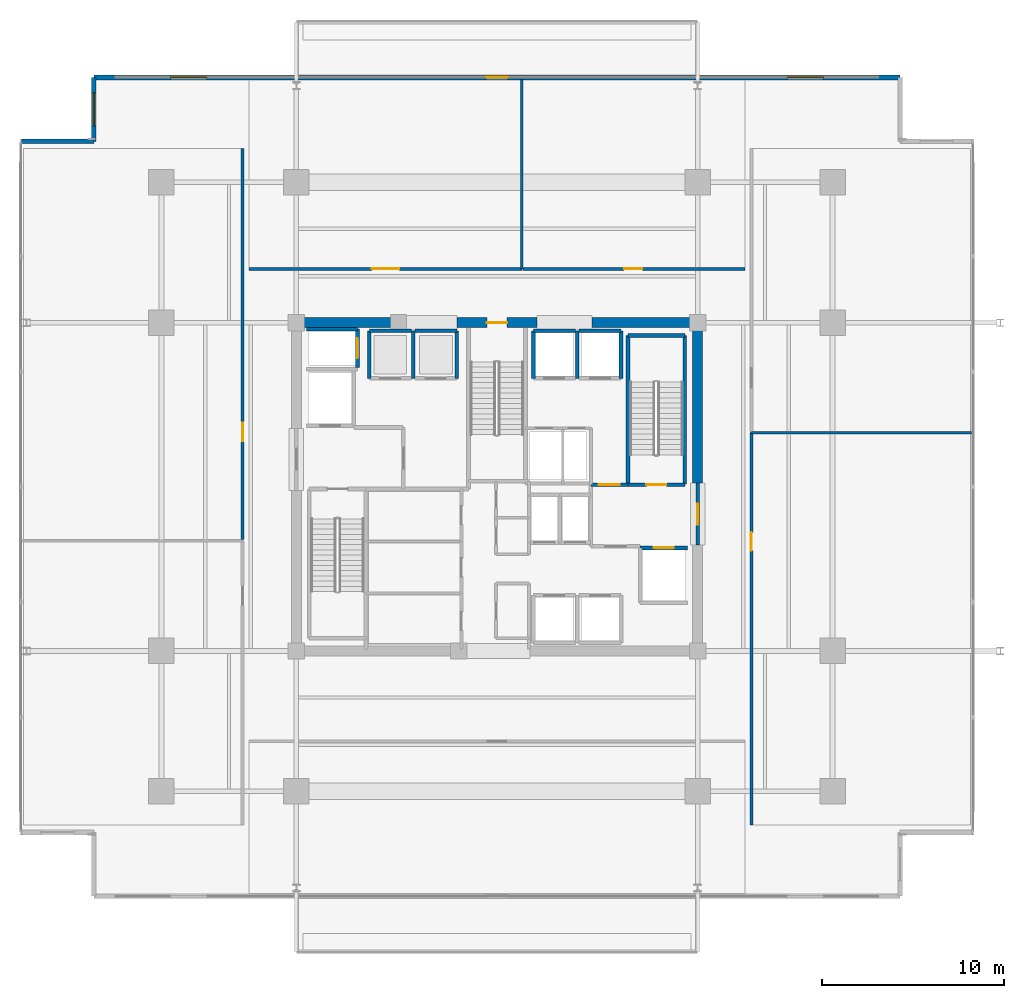
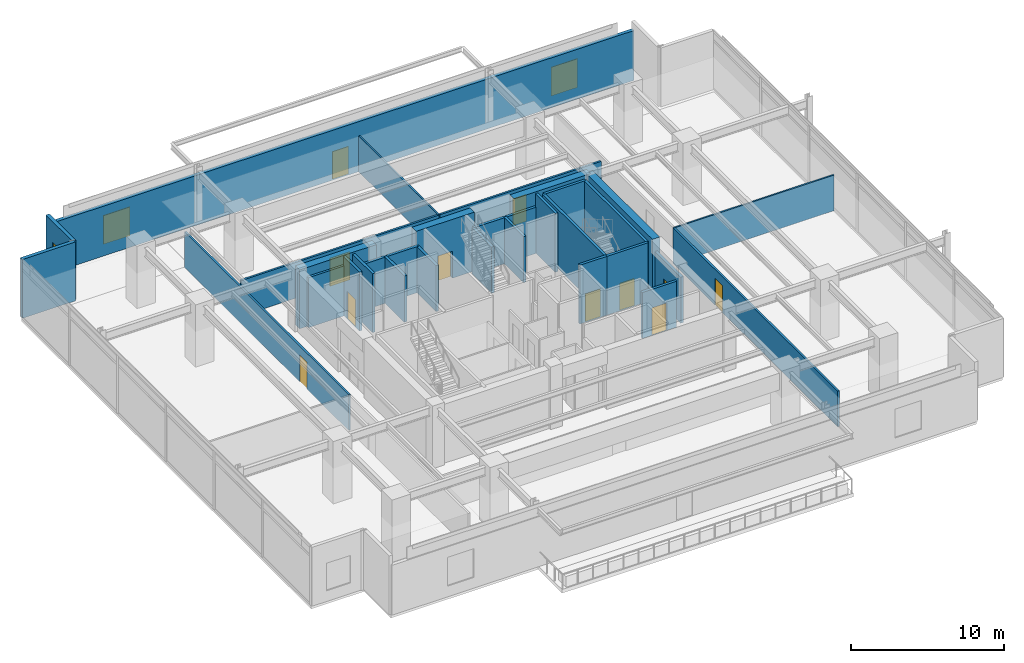
# One storey, part 18 of 25: 32 walls, 11 doors, 3 windows, 14 openings.
"""IFC4 building model written with IfcOpenShell, lengths in metres."""

from ifc_helpers import new_model, si_unit, direction, frame, frame_2d, origin, place, context, subcontext, project, spatial, rectangle, extrude, material, layer, layer_set, type_object, element, fill, save


model = new_model("IFC4")

# Units and contexts
model_context = context("Model", 3, precision=1e-05, world=origin(), true_north=direction((0.0, 1.0)))
body_context = subcontext(model_context, "Body", "Model", "MODEL_VIEW")
ifc_project = project(units=[si_unit("LENGTHUNIT", "METRE"), si_unit("AREAUNIT", "SQUARE_METRE"), si_unit("VOLUMEUNIT", "CUBIC_METRE"), si_unit("PLANEANGLEUNIT", "RADIAN"), si_unit("MASSUNIT", "GRAM", prefix="KILO")], contexts=[model_context])

# Site, building, storey
site_placement = place(None, origin())
site = spatial("IfcSite", under=ifc_project, at=site_placement, CompositionType="ELEMENT")
building_placement = place(site_placement, origin())
building = spatial("IfcBuilding", under=site, at=building_placement, Name="Kovane Verandah Tower", CompositionType="ELEMENT")
storey_placement = place(building_placement, frame((0.0, 0.0, 233.199951171875)))
storey = spatial("IfcBuildingStorey", under=building, at=storey_placement, Name="L54", CompositionType="ELEMENT", Elevation=233.199951171875)

# Wall, opening, door
ifc_material_1 = material(Name="Fire-Rated Gypsum Stud Partition", Category="gypsum")
ifc_layer_1 = layer(ifc_material_1, 0.14990234375)
ifc_layer_set_1 = layer_set([ifc_layer_1], Name="Fire-Rated Gypsum Stud Partition")
wall_type_1 = type_object("IfcWallType", Name="WL-COR-150", PredefinedType="PARTITIONING", material=ifc_layer_set_1)
wall_1_placement = place(storey_placement, frame((26.39990234375, 39.449951171875, 0.0), z_axis=(0.0, 0.0, 1.0), x_axis=(1.0, 0.0, 0.0)))
wall_1 = element("IfcWall", 1, at=wall_1_placement, inside=storey, type_object=wall_type_1, Name="L54 Sky Lobby Transfer Lounge N1 Corridor Partition", PredefinedType="PARTITIONING", context=body_context, shape_type="SweptSolid", body=[
    extrude(rectangle(XDim=14.960205078125, YDim=0.14990234375, at=frame_2d((7.47998046875, 0.0))), origin(), (0.0, 0.0, 1.0), 2.85009765625),
])
opening_1_placement = place(wall_1_placement, frame((6.7451171875, 0.0, 0.0)))
opening_1 = element("IfcOpeningElement", 2, at=opening_1_placement, cuts=wall_1, Name="Opening DR-L54-018", PredefinedType="OPENING", context=body_context, shape_type="SweptSolid", body=[
    extrude(rectangle(XDim=1.5, YDim=2.25, at=frame_2d((0.75, 1.125))), frame((0.0, 0.074951171875, 0.0), z_axis=(0.0, -1.0, 0.0), x_axis=(1.0, 0.0, 0.0)), (0.0, 0.0, 1.0), 0.14990234375),
])
ifc_material_2 = material(Name="Glazed Timber Fire-Rated Double Door", Category="wood")
door_type_1 = type_object("IfcDoorType", Name="DR-CONF-1500", OperationType="DOUBLE_DOOR_SINGLE_SWING", PredefinedType="DOOR", material=ifc_material_2)
door_1_placement = place(opening_1_placement, origin())
door_1 = element("IfcDoor", 3, at=door_1_placement, inside=storey, type_object=door_type_1, Name="L54 Sky Lobby Transfer Lounge N1 Entrance Door", OperationType="DOUBLE_DOOR_SINGLE_SWING", OverallHeight=2.25, OverallWidth=1.5, PredefinedType="DOOR", context=body_context, shape_type="SweptSolid", body=[
    extrude(rectangle(XDim=1.5, YDim=2.25, at=frame_2d((0.75, 1.125))), frame((0.0, 0.02490234375, 0.0), z_axis=(0.0, -1.0, 0.0), x_axis=(1.0, 0.0, 0.0)), (0.0, 0.0, 1.0), 0.050048828125),
])
fill(opening_1, door_1)

wall_2_placement = place(storey_placement, frame((41.429931640625, 39.449951171875, 0.0), z_axis=(0.0, 0.0, 1.0), x_axis=(1.0, 0.0, 0.0)))
wall_2 = element("IfcWall", 4, at=wall_2_placement, inside=storey, type_object=wall_type_1, Name="L54 Focus Studio N2 Corridor Partition", PredefinedType="PARTITIONING", context=body_context, shape_type="SweptSolid", body=[
    extrude(rectangle(XDim=12.170166015625, YDim=0.14990234375, at=frame_2d((6.0849609375, 0.0))), origin(), (0.0, 0.0, 1.0), 2.85009765625),
])
opening_2_placement = place(wall_2_placement, frame((5.534912109375, 0.0, 0.0)))
opening_2 = element("IfcOpeningElement", 5, at=opening_2_placement, cuts=wall_2, Name="Opening DR-L54-019", PredefinedType="OPENING", context=body_context, shape_type="SweptSolid", body=[
    extrude(rectangle(XDim=1.0, YDim=2.14990234375, at=frame_2d((0.5, 1.074951171875))), frame((0.0, 0.074951171875, 0.0), z_axis=(0.0, -1.0, 0.0), x_axis=(1.0, 0.0, 0.0)), (0.0, 0.0, 1.0), 0.14990234375),
])
ifc_material_3 = material(Name="FSC Spotted-Gum Timber Fire-Rated Office Door", Category="wood")
door_type_2 = type_object("IfcDoorType", Name="DR-OFF-1000", OperationType="SINGLE_SWING_LEFT", PredefinedType="DOOR", material=ifc_material_3)
door_2_placement = place(opening_2_placement, origin())
door_2 = element("IfcDoor", 6, at=door_2_placement, inside=storey, type_object=door_type_2, Name="L54 Focus Studio N2 Entrance Door", OperationType="SINGLE_SWING_LEFT", OverallHeight=2.14990234375, OverallWidth=1.0, PredefinedType="DOOR", context=body_context, shape_type="SweptSolid", body=[
    extrude(rectangle(XDim=1.0, YDim=2.14990234375, at=frame_2d((0.5, 1.074951171875))), frame((0.0, 0.02490234375, 0.0), z_axis=(0.0, -1.0, 0.0), x_axis=(1.0, 0.0, 0.0)), (0.0, 0.0, 1.0), 0.050048828125),
])
fill(opening_2, door_2)

wall_3_placement = place(storey_placement, frame((26.050048828125, 24.60205078125, 0.0), z_axis=(0.0, 0.0, 1.0), x_axis=(0.0, 1.0, 0.0)))
wall_3 = element("IfcWall", 7, at=wall_3_placement, inside=storey, type_object=wall_type_1, Name="L54 Document and Print Room W2 Corridor Partition", PredefinedType="PARTITIONING", context=body_context, shape_type="SweptSolid", body=[
    extrude(rectangle(XDim=21.447509765625, YDim=0.14990234375, at=frame_2d((10.7236328125, 0.0))), origin(), (0.0, 0.0, 1.0), 2.85009765625),
])
opening_3_placement = place(wall_3_placement, frame((5.39892578125, 0.0, 0.0)))
opening_3 = element("IfcOpeningElement", 8, at=opening_3_placement, cuts=wall_3, Name="Opening DR-L54-025", PredefinedType="OPENING", context=body_context, shape_type="SweptSolid", body=[
    extrude(rectangle(XDim=1.0, YDim=2.14990234375, at=frame_2d((0.5, 1.074951171875))), frame((0.0, 0.074951171875, 0.0), z_axis=(0.0, -1.0, 0.0), x_axis=(1.0, 0.0, 0.0)), (0.0, 0.0, 1.0), 0.14990234375),
])
door_3_placement = place(opening_3_placement, origin())
door_3 = element("IfcDoor", 9, at=door_3_placement, inside=storey, type_object=door_type_2, Name="L54 Document and Print Room W2 Entrance Door", OperationType="SINGLE_SWING_RIGHT", OverallHeight=2.14990234375, OverallWidth=1.0, PredefinedType="DOOR", context=body_context, shape_type="SweptSolid", body=[
    extrude(rectangle(XDim=1.0, YDim=2.14990234375, at=frame_2d((0.5, 1.074951171875))), frame((0.0, 0.02490234375, 0.0), z_axis=(0.0, -1.0, 0.0), x_axis=(1.0, 0.0, 0.0)), (0.0, 0.0, 1.0), 0.050048828125),
])
fill(opening_3, door_3)

wall_4_placement = place(storey_placement, frame((53.949951171875, 8.950439453125, 0.0), z_axis=(0.0, 0.0, 1.0), x_axis=(0.0, 1.0, 0.0)))
wall_4 = element("IfcWall", 10, at=wall_4_placement, inside=storey, type_object=wall_type_1, Name="L54 Open Plan Office E1 Corridor Partition", PredefinedType="PARTITIONING", context=body_context, shape_type="SweptSolid", body=[
    extrude(rectangle(XDim=21.517578125, YDim=0.14990234375, at=frame_2d((10.7587890625, 0.0))), origin(), (0.0, 0.0, 1.0), 2.85009765625),
])
opening_4_placement = place(wall_4_placement, frame((15.048583984375, 0.0, 0.0)))
opening_4 = element("IfcOpeningElement", 11, at=opening_4_placement, cuts=wall_4, Name="Opening DR-L54-011", PredefinedType="OPENING", context=body_context, shape_type="SweptSolid", body=[
    extrude(rectangle(XDim=1.0, YDim=2.14990234375, at=frame_2d((0.5, 1.074951171875))), frame((0.0, 0.074951171875, 0.0), z_axis=(0.0, -1.0, 0.0), x_axis=(1.0, 0.0, 0.0)), (0.0, 0.0, 1.0), 0.14990234375),
])
door_4_placement = place(opening_4_placement, origin())
door_4 = element("IfcDoor", 12, at=door_4_placement, inside=storey, type_object=door_type_2, Name="L54 Open Plan Office E1 Entrance Door", OperationType="SINGLE_SWING_LEFT", OverallHeight=2.14990234375, OverallWidth=1.0, PredefinedType="DOOR", context=body_context, shape_type="SweptSolid", body=[
    extrude(rectangle(XDim=1.0, YDim=2.14990234375, at=frame_2d((0.5, 1.074951171875))), frame((0.0, 0.02490234375, 0.0), z_axis=(0.0, -1.0, 0.0), x_axis=(1.0, 0.0, 0.0)), (0.0, 0.0, 1.0), 0.050048828125),
])
fill(opening_4, door_4)

# Wall
ifc_material_4 = material(Name="Concrete C60/75", Category="concrete")
ifc_layer_2 = layer(ifc_material_4, 0.550048828125)
ifc_layer_set_2 = layer_set([ifc_layer_2], Name="Concrete C60/75")
wall_type_2 = type_object("IfcWallType", Name="WL-CORE-550", PredefinedType="SHEAR", material=ifc_layer_set_2)
wall_5_placement = place(storey_placement, frame((29.0, 36.5, 0.0), z_axis=(0.0, 0.0, 1.0), x_axis=(1.0, 0.0, 0.0)))
element("IfcWall", 13, at=wall_5_placement, inside=storey, type_object=wall_type_2, Name="L54 Core Shear Wall CN-1", PredefinedType="SHEAR", context=body_context, shape_type="SweptSolid", body=[
    extrude(rectangle(XDim=5.800048828125, YDim=0.550048828125, at=frame_2d((2.89990234375, 0.0))), origin(), (0.0, 0.0, 1.0), 4.699951171875),
])

# Wall, opening, door
wall_6_placement = place(storey_placement, frame((37.800048828125, 36.5, 0.0), z_axis=(0.0, 0.0, 1.0), x_axis=(1.0, 0.0, 0.0)))
wall_6 = element("IfcWall", 14, at=wall_6_placement, inside=storey, type_object=wall_type_2, Name="L54 Core Shear Wall CN-2", PredefinedType="SHEAR", context=body_context, shape_type="SweptSolid", body=[
    extrude(rectangle(XDim=4.39990234375, YDim=0.550048828125, at=frame_2d((2.199951171875, 0.0))), origin(), (0.0, 0.0, 1.0), 4.699951171875),
])
opening_5_placement = place(wall_6_placement, frame((1.64990234375, 0.0, 0.0)))
opening_5 = element("IfcOpeningElement", 15, at=opening_5_placement, cuts=wall_6, Name="Opening DR-L54-010", PredefinedType="OPENING", context=body_context, shape_type="SweptSolid", body=[
    extrude(rectangle(XDim=1.10009765625, YDim=2.14990234375, at=frame_2d((0.550048828125, 1.074951171875))), frame((0.0, 0.27490234375, 0.0), z_axis=(0.0, -1.0, 0.0), x_axis=(1.0, 0.0, 0.0)), (0.0, 0.0, 1.0), 0.550048828125),
])
ifc_material_5 = material(Name="Fire-Rated Steel Exit Door", Category="steel")
door_type_3 = type_object("IfcDoorType", Name="DR-STAIR-1100", OperationType="SINGLE_SWING_LEFT", PredefinedType="DOOR", material=ifc_material_5)
door_5_placement = place(opening_5_placement, origin())
door_5 = element("IfcDoor", 16, at=door_5_placement, inside=storey, type_object=door_type_3, Name="L54 ST-03 Fire Exit Stair Door", OperationType="SINGLE_SWING_LEFT", OverallHeight=2.14990234375, OverallWidth=1.10009765625, PredefinedType="DOOR", context=body_context, shape_type="SweptSolid", body=[
    extrude(rectangle(XDim=1.10009765625, YDim=2.14990234375, at=frame_2d((0.550048828125, 1.074951171875))), frame((0.0, 0.02490234375, 0.0), z_axis=(0.0, -1.0, 0.0), x_axis=(1.0, 0.0, 0.0)), (0.0, 0.0, 1.0), 0.050048828125),
])
fill(opening_5, door_5)

# Walls
wall_7_placement = place(storey_placement, frame((45.199951171875, 36.5, 0.0), z_axis=(0.0, 0.0, 1.0), x_axis=(1.0, 0.0, 0.0)))
element("IfcWall", 17, at=wall_7_placement, inside=storey, type_object=wall_type_2, Name="L54 Core Shear Wall CN-3", PredefinedType="SHEAR", context=body_context, shape_type="SweptSolid", body=[
    extrude(rectangle(XDim=5.800048828125, YDim=0.550048828125, at=frame_2d((2.89990234375, 0.0))), origin(), (0.0, 0.0, 1.0), 4.699951171875),
])
wall_8_placement = place(storey_placement, frame((51.0, 27.699951171875, 0.0), z_axis=(0.0, 0.0, 1.0), x_axis=(0.0, 1.0, 0.0)))
element("IfcWall", 18, at=wall_8_placement, inside=storey, type_object=wall_type_2, Name="L54 Core Shear Wall CE-2", PredefinedType="SHEAR", context=body_context, shape_type="SweptSolid", body=[
    extrude(rectangle(XDim=8.800048828125, YDim=0.550048828125, at=frame_2d((4.39990234375, 0.0))), origin(), (0.0, 0.0, 1.0), 4.699951171875),
])

# Wall, opening, door
ifc_material_6 = material(Name="Concrete C45/55 Fire Wall", Category="concrete")
ifc_layer_3 = layer(ifc_material_6, 0.199951171875)
ifc_layer_set_3 = layer_set([ifc_layer_3], Name="Concrete C45/55 Fire Wall")
wall_type_3 = type_object("IfcWallType", Name="WL-FFL-200", PredefinedType="PARTITIONING", material=ifc_layer_set_3)
wall_9_placement = place(storey_placement, frame((45.14990234375, 27.6201171875, 0.0), z_axis=(0.0, 0.0, 1.0), x_axis=(1.0, 0.0, 0.0)))
wall_9 = element("IfcWall", 19, at=wall_9_placement, inside=storey, type_object=wall_type_3, Name="W-L54-FFLE-N", PredefinedType="PARTITIONING", context=body_context, shape_type="SweptSolid", body=[
    extrude(rectangle(XDim=2.030029296875, YDim=0.199951171875, at=frame_2d((1.01513671875, 0.0))), origin(), (0.0, 0.0, 1.0), 4.699951171875),
])
opening_6_placement = place(wall_9_placement, frame((0.43994140625, 0.0, 0.0)))
opening_6 = element("IfcOpeningElement", 20, at=opening_6_placement, cuts=wall_9, Name="Opening DR-L54-004", PredefinedType="OPENING", context=body_context, shape_type="SweptSolid", body=[
    extrude(rectangle(XDim=1.14990234375, YDim=2.199951171875, at=frame_2d((0.574951171875, 1.10009765625))), frame((0.0, 0.10009765625, 0.0), z_axis=(0.0, -1.0, 0.0), x_axis=(1.0, 0.0, 0.0)), (0.0, 0.0, 1.0), 0.199951171875),
])
ifc_material_7 = material(Name="Smoke-Sealed Firefighting Lobby Door", Category="steel")
door_type_4 = type_object("IfcDoorType", Name="DR-FFL-1150", OperationType="SINGLE_SWING_LEFT", PredefinedType="DOOR", material=ifc_material_7)
door_6_placement = place(opening_6_placement, origin())
door_6 = element("IfcDoor", 21, at=door_6_placement, inside=storey, type_object=door_type_4, Name="L54 East Firefighting Lobby Shuttle Link Door", OperationType="SINGLE_SWING_LEFT", OverallHeight=2.199951171875, OverallWidth=1.14990234375, PredefinedType="DOOR", context=body_context, shape_type="SweptSolid", body=[
    extrude(rectangle(XDim=1.14990234375, YDim=2.199951171875, at=frame_2d((0.574951171875, 1.10009765625))), frame((0.0, 0.02490234375, 0.0), z_axis=(0.0, -1.0, 0.0), x_axis=(1.0, 0.0, 0.0)), (0.0, 0.0, 1.0), 0.050048828125),
])
fill(opening_6, door_6)

wall_10_placement = place(storey_placement, frame((51.0, 24.300048828125, 0.0), z_axis=(0.0, 0.0, 1.0), x_axis=(0.0, 1.0, 0.0)))
wall_10 = element("IfcWall", 22, at=wall_10_placement, inside=storey, type_object=wall_type_3, Name="W-L54-FFLE-OUT", PredefinedType="PARTITIONING", context=body_context, shape_type="SweptSolid", body=[
    extrude(rectangle(XDim=3.39990234375, YDim=0.199951171875, at=frame_2d((1.699951171875, 0.0))), origin(), (0.0, 0.0, 1.0), 3.679931640625),
])
opening_7_placement = place(wall_10_placement, frame((1.125, 0.0, 0.0)))
opening_7 = element("IfcOpeningElement", 23, at=opening_7_placement, cuts=wall_10, Name="Opening DR-L54-005", PredefinedType="OPENING", context=body_context, shape_type="SweptSolid", body=[
    extrude(rectangle(XDim=1.14990234375, YDim=2.199951171875, at=frame_2d((0.574951171875, 1.10009765625))), frame((0.0, 0.10009765625, 0.0), z_axis=(0.0, -1.0, 0.0), x_axis=(1.0, 0.0, 0.0)), (0.0, 0.0, 1.0), 0.199951171875),
])
door_7_placement = place(opening_7_placement, origin())
door_7 = element("IfcDoor", 24, at=door_7_placement, inside=storey, type_object=door_type_4, Name="L54 East Firefighting Lobby Corridor Door", OperationType="SINGLE_SWING_LEFT", OverallHeight=2.199951171875, OverallWidth=1.14990234375, PredefinedType="DOOR", context=body_context, shape_type="SweptSolid", body=[
    extrude(rectangle(XDim=1.14990234375, YDim=2.199951171875, at=frame_2d((0.574951171875, 1.10009765625))), frame((0.0, 0.02490234375, 0.0), z_axis=(0.0, -1.0, 0.0), x_axis=(1.0, 0.0, 0.0)), (0.0, 0.0, 1.0), 0.050048828125),
])
fill(opening_7, door_7)

ifc_material_8 = material(Name="Concrete C45/55 Lift Shaft Wall", Category="concrete")
ifc_layer_4 = layer(ifc_material_8, 0.199951171875)
ifc_layer_set_4 = layer_set([ifc_layer_4], Name="Concrete C45/55 Lift Shaft Wall")
wall_type_4 = type_object("IfcWallType", Name="WL-LIFT-200", PredefinedType="SOLIDWALL", material=ifc_layer_set_4)
wall_11_placement = place(storey_placement, frame((50.449951171875, 24.14990234375, 0.0), z_axis=(0.0, 0.0, 1.0), x_axis=(-1.0, 0.0, 0.0)))
wall_11 = element("IfcWall", 25, at=wall_11_placement, inside=storey, type_object=wall_type_4, Name="L54 Lift FL-02 N Shaft Wall", PredefinedType="SOLIDWALL", context=body_context, shape_type="SweptSolid", body=[
    extrude(rectangle(XDim=2.599853515625, YDim=0.199951171875, at=frame_2d((1.2998046875, 0.0))), origin(), (0.0, 0.0, 1.0), 3.679931640625),
])
opening_8_placement = place(wall_11_placement, frame((0.75, 0.0, 0.0)))
opening_8 = element("IfcOpeningElement", 26, at=opening_8_placement, cuts=wall_11, Name="Opening LD-L54-002", PredefinedType="OPENING", context=body_context, shape_type="SweptSolid", body=[
    extrude(rectangle(XDim=1.10009765625, YDim=2.199951171875, at=frame_2d((0.550048828125, 1.10009765625))), frame((0.0, 0.10009765625, 0.0), z_axis=(0.0, -1.0, 0.0), x_axis=(1.0, 0.0, 0.0)), (0.0, 0.0, 1.0), 0.199951171875),
])
ifc_material_9 = material(Name="Brushed Stainless Steel Sliding Lift Landing Door", Category="steel")
door_type_5 = type_object("IfcDoorType", Name="DR-LIFT-1100", OperationType="SLIDING_TO_RIGHT", PredefinedType="DOOR", material=ifc_material_9)
door_8_placement = place(opening_8_placement, origin())
door_8 = element("IfcDoor", 27, at=door_8_placement, inside=storey, type_object=door_type_5, Name="L54 Lift FL-02 Sliding Landing Door", OperationType="SLIDING_TO_RIGHT", OverallHeight=2.199951171875, OverallWidth=1.10009765625, PredefinedType="DOOR", context=body_context, shape_type="SweptSolid", body=[
    extrude(rectangle(XDim=1.10009765625, YDim=2.199951171875, at=frame_2d((0.550048828125, 1.10009765625))), frame((0.0, 0.02490234375, 0.0), z_axis=(0.0, -1.0, 0.0), x_axis=(1.0, 0.0, 0.0)), (0.0, 0.0, 1.0), 0.050048828125),
])
fill(opening_8, door_8)

# Wall
wall_12_placement = place(storey_placement, frame((32.35009765625, 36.14990234375, 0.0), z_axis=(0.0, 0.0, 1.0), x_axis=(-1.0, 0.0, 0.0)))
element("IfcWall", 28, at=wall_12_placement, inside=storey, type_object=wall_type_4, Name="L54 Lift GL-01 N Shaft Wall", PredefinedType="SOLIDWALL", context=body_context, shape_type="SweptSolid", body=[
    extrude(rectangle(XDim=2.800048828125, YDim=0.199951171875, at=frame_2d((1.39990234375, 0.0))), origin(), (0.0, 0.0, 1.0), 3.987060546875),
])

# Wall, opening, door
wall_13_placement = place(storey_placement, frame((32.35009765625, 34.050048828125, 0.0), z_axis=(0.0, 0.0, 1.0), x_axis=(0.0, 1.0, 0.0)))
wall_13 = element("IfcWall", 29, at=wall_13_placement, inside=storey, type_object=wall_type_4, Name="L54 Lift GL-01 E Shaft Wall", PredefinedType="SOLIDWALL", context=body_context, shape_type="SweptSolid", body=[
    extrude(rectangle(XDim=2.099853515625, YDim=0.199951171875, at=frame_2d((1.0498046875, 0.0))), origin(), (0.0, 0.0, 1.0), 4.699951171875),
])
opening_9_placement = place(wall_13_placement, frame((0.5, 0.0, 0.0)))
opening_9 = element("IfcOpeningElement", 30, at=opening_9_placement, cuts=wall_13, Name="Opening LD-L54-003", PredefinedType="OPENING", context=body_context, shape_type="SweptSolid", body=[
    extrude(rectangle(XDim=1.10009765625, YDim=2.199951171875, at=frame_2d((0.550048828125, 1.10009765625))), frame((0.0, 0.10009765625, 0.0), z_axis=(0.0, -1.0, 0.0), x_axis=(1.0, 0.0, 0.0)), (0.0, 0.0, 1.0), 0.199951171875),
])
door_9_placement = place(opening_9_placement, origin())
door_9 = element("IfcDoor", 31, at=door_9_placement, inside=storey, type_object=door_type_5, Name="L54 Lift GL-01 Sliding Landing Door", OperationType="SLIDING_TO_RIGHT", OverallHeight=2.199951171875, OverallWidth=1.10009765625, PredefinedType="DOOR", context=body_context, shape_type="SweptSolid", body=[
    extrude(rectangle(XDim=1.10009765625, YDim=2.199951171875, at=frame_2d((0.550048828125, 1.10009765625))), frame((0.0, 0.02490234375, 0.0), z_axis=(0.0, -1.0, 0.0), x_axis=(1.0, 0.0, 0.0)), (0.0, 0.0, 1.0), 0.050048828125),
])
fill(opening_9, door_9)

# Walls
wall_14_placement = place(storey_placement, frame((35.300048828125, 36.050048828125, 0.0), z_axis=(0.0, 0.0, 1.0), x_axis=(-1.0, 0.0, 0.0)))
element("IfcWall", 32, at=wall_14_placement, inside=storey, type_object=wall_type_4, Name="L54 Lift PL-H1 N Shaft Wall", PredefinedType="SOLIDWALL", context=body_context, shape_type="SweptSolid", body=[
    extrude(rectangle(XDim=2.300048828125, YDim=0.199951171875, at=frame_2d((1.14990234375, 0.0))), origin(), (0.0, 0.0, 1.0), 3.679931640625),
])
wall_15_placement = place(storey_placement, frame((33.0, 36.050048828125, 0.0), z_axis=(0.0, 0.0, 1.0), x_axis=(0.0, -1.0, 0.0)))
element("IfcWall", 33, at=wall_15_placement, inside=storey, type_object=wall_type_4, Name="L54 Lift PL-H1 W Shaft Wall", PredefinedType="SOLIDWALL", context=body_context, shape_type="SweptSolid", body=[
    extrude(rectangle(XDim=2.60009765625, YDim=0.199951171875, at=frame_2d((1.300048828125, 0.0))), origin(), (0.0, 0.0, 1.0), 4.699951171875),
])
wall_16_placement = place(storey_placement, frame((35.39990234375, 33.449951171875, 0.0), z_axis=(0.0, 0.0, 1.0), x_axis=(0.0, 1.0, 0.0)))
element("IfcWall", 34, at=wall_16_placement, inside=storey, type_object=wall_type_4, Name="L54 Lift PL-H1 and PL-H2 Shared Shaft Wall", PredefinedType="SOLIDWALL", context=body_context, shape_type="SweptSolid", body=[
    extrude(rectangle(XDim=2.60009765625, YDim=0.199951171875, at=frame_2d((1.300048828125, 0.0))), origin(), (0.0, 0.0, 1.0), 3.679931640625),
])
wall_17_placement = place(storey_placement, frame((37.800048828125, 36.050048828125, 0.0), z_axis=(0.0, 0.0, 1.0), x_axis=(-1.0, 0.0, 0.0)))
element("IfcWall", 35, at=wall_17_placement, inside=storey, type_object=wall_type_4, Name="L54 Lift PL-H2 N Shaft Wall", PredefinedType="SOLIDWALL", context=body_context, shape_type="SweptSolid", body=[
    extrude(rectangle(XDim=2.300048828125, YDim=0.199951171875, at=frame_2d((1.14990234375, 0.0))), origin(), (0.0, 0.0, 1.0), 3.679931640625),
])
wall_18_placement = place(storey_placement, frame((37.800048828125, 33.449951171875, 0.0), z_axis=(0.0, 0.0, 1.0), x_axis=(0.0, 1.0, 0.0)))
element("IfcWall", 36, at=wall_18_placement, inside=storey, type_object=wall_type_4, Name="L54 Lift PL-H2 E Shaft Wall", PredefinedType="SOLIDWALL", context=body_context, shape_type="SweptSolid", body=[
    extrude(rectangle(XDim=2.60009765625, YDim=0.199951171875, at=frame_2d((1.300048828125, 0.0))), origin(), (0.0, 0.0, 1.0), 3.679931640625),
])
wall_19_placement = place(storey_placement, frame((44.300048828125, 36.050048828125, 0.0), z_axis=(0.0, 0.0, 1.0), x_axis=(-1.0, 0.0, 0.0)))
element("IfcWall", 37, at=wall_19_placement, inside=storey, type_object=wall_type_4, Name="L54 Lift SL-01 N Shaft Wall", PredefinedType="SOLIDWALL", context=body_context, shape_type="SweptSolid", body=[
    extrude(rectangle(XDim=2.300048828125, YDim=0.199951171875, at=frame_2d((1.14990234375, 0.0))), origin(), (0.0, 0.0, 1.0), 3.679931640625),
])
for number, where, z_axis, x_axis, name in (
    (38, (42.0, 36.050048828125, 0.0), (0.0, 0.0, 1.0), (0.0, -1.0, 0.0), "L54 Lift SL-01 W Shaft Wall"),
    (39, (44.39990234375, 33.449951171875, 0.0), (0.0, 0.0, 1.0), (0.0, 1.0, 0.0), "L54 Lift OL-01 and SL-01 Shared Shaft Wall"),
):
    element("IfcWall", number, at=place(storey_placement, frame(where, z_axis=z_axis, x_axis=x_axis)), inside=storey, type_object=wall_type_4, Name=name, PredefinedType="SOLIDWALL", context=body_context, shape_type="SweptSolid", body=[
        extrude(rectangle(XDim=2.60009765625, YDim=0.199951171875, at=frame_2d((1.300048828125, 0.0))), origin(), (0.0, 0.0, 1.0), 3.679931640625),
    ])
wall_20_placement = place(storey_placement, frame((46.800048828125, 36.050048828125, 0.0), z_axis=(0.0, 0.0, 1.0), x_axis=(-1.0, 0.0, 0.0)))
element("IfcWall", 40, at=wall_20_placement, inside=storey, type_object=wall_type_4, Name="L54 Lift OL-01 N Shaft Wall", PredefinedType="SOLIDWALL", context=body_context, shape_type="SweptSolid", body=[
    extrude(rectangle(XDim=2.300048828125, YDim=0.199951171875, at=frame_2d((1.14990234375, 0.0))), origin(), (0.0, 0.0, 1.0), 3.679931640625),
])
wall_21_placement = place(storey_placement, frame((46.800048828125, 33.449951171875, 0.0), z_axis=(0.0, 0.0, 1.0), x_axis=(0.0, 1.0, 0.0)))
element("IfcWall", 41, at=wall_21_placement, inside=storey, type_object=wall_type_4, Name="L54 Lift OL-01 E Shaft Wall", PredefinedType="SOLIDWALL", context=body_context, shape_type="SweptSolid", body=[
    extrude(rectangle(XDim=2.60009765625, YDim=0.199951171875, at=frame_2d((1.300048828125, 0.0))), origin(), (0.0, 0.0, 1.0), 4.699951171875),
])
ifc_material_10 = material(Name="Acoustic Fire-Rated Gypsum Partition", Category="gypsum")
ifc_layer_5 = layer(ifc_material_10, 0.1201171875)
ifc_layer_set_5 = layer_set([ifc_layer_5], Name="Acoustic Fire-Rated Gypsum Partition")
wall_type_5 = type_object("IfcWallType", Name="WL-PART-120", PredefinedType="PARTITIONING", material=ifc_layer_set_5)
wall_22_placement = place(storey_placement, frame((41.360107421875, 39.449951171875, 0.0), z_axis=(0.0, 0.0, 1.0), x_axis=(0.0, 1.0, 0.0)))
element("IfcWall", 42, at=wall_22_placement, inside=storey, type_object=wall_type_5, Name="L54 Sky Lobby Transfer Lounge N1 Dividing Partition", PredefinedType="PARTITIONING", context=body_context, shape_type="SweptSolid", body=[
    extrude(rectangle(XDim=10.399658203125, YDim=0.1201171875, at=frame_2d((5.19970703125, 0.0))), origin(), (0.0, 0.0, 1.0), 2.85009765625),
])
wall_23_placement = place(storey_placement, frame((53.949951171875, 30.468017578125, 0.0), z_axis=(0.0, 0.0, 1.0), x_axis=(1.0, 0.0, 0.0)))
element("IfcWall", 43, at=wall_23_placement, inside=storey, type_object=wall_type_5, Name="L54 Open Plan Office E1 Dividing Partition", PredefinedType="PARTITIONING", context=body_context, shape_type="SweptSolid", body=[
    extrude(rectangle(XDim=12.05712890625, YDim=0.1201171875, at=frame_2d((6.028564453125, 0.0))), origin(), (0.0, 0.0, 1.0), 2.85009765625),
])
ifc_material_11 = material(Name="Concrete C45/55", Category="concrete")
ifc_layer_6 = layer(ifc_material_11, 0.199951171875)
ifc_layer_set_6 = layer_set([ifc_layer_6], Name="Concrete C45/55")
wall_type_6 = type_object("IfcWallType", Name="WL-SHAFT-200", PredefinedType="SOLIDWALL", material=ifc_layer_set_6)
wall_24_placement = place(storey_placement, frame((50.300048828125, 27.64990234375, 0.0), z_axis=(0.0, 0.0, 1.0), x_axis=(0.0, 1.0, 0.0)))
element("IfcWall", 44, at=wall_24_placement, inside=storey, type_object=wall_type_6, Name="W-L54-ST02-E", PredefinedType="SOLIDWALL", context=body_context, shape_type="SweptSolid", body=[
    extrude(rectangle(XDim=8.150146484375, YDim=0.199951171875, at=frame_2d((4.0751953125, 0.0))), origin(), (0.0, 0.0, 1.0), 4.699951171875),
])
wall_25_placement = place(storey_placement, frame((47.179931640625, 35.800048828125, 0.0), z_axis=(0.0, 0.0, 1.0), x_axis=(1.0, 0.0, 0.0)))
element("IfcWall", 45, at=wall_25_placement, inside=storey, type_object=wall_type_6, Name="W-L54-ST02-N", PredefinedType="SOLIDWALL", context=body_context, shape_type="SweptSolid", body=[
    extrude(rectangle(XDim=3.1201171875, YDim=0.199951171875, at=frame_2d((1.56005859375, 0.0))), origin(), (0.0, 0.0, 1.0), 4.699951171875),
])
wall_26_placement = place(storey_placement, frame((47.179931640625, 27.6201171875, 0.0), z_axis=(0.0, 0.0, 1.0), x_axis=(0.0, 1.0, 0.0)))
element("IfcWall", 46, at=wall_26_placement, inside=storey, type_object=wall_type_6, Name="W-L54-ST02-W", PredefinedType="SOLIDWALL", context=body_context, shape_type="SweptSolid", body=[
    extrude(rectangle(XDim=8.179931640625, YDim=0.199951171875, at=frame_2d((4.08984375, 0.0))), origin(), (0.0, 0.0, 1.0), 4.699951171875),
])

# Wall, opening, door
wall_27_placement = place(storey_placement, frame((47.179931640625, 27.6201171875, 0.0), z_axis=(0.0, 0.0, 1.0), x_axis=(1.0, 0.0, 0.0)))
wall_27 = element("IfcWall", 47, at=wall_27_placement, inside=storey, type_object=wall_type_6, Name="W-L54-ST02-S", PredefinedType="SOLIDWALL", context=body_context, shape_type="SweptSolid", body=[
    extrude(rectangle(XDim=3.1201171875, YDim=0.199951171875, at=frame_2d((1.56005859375, 0.0))), origin(), (0.0, 0.0, 1.0), 4.699951171875),
])
opening_10_placement = place(wall_27_placement, frame((1.010009765625, 0.0, 0.0)))
opening_10 = element("IfcOpeningElement", 48, at=opening_10_placement, cuts=wall_27, Name="Opening DR-L54-009", PredefinedType="OPENING", context=body_context, shape_type="SweptSolid", body=[
    extrude(rectangle(XDim=1.10009765625, YDim=2.14990234375, at=frame_2d((0.550048828125, 1.074951171875))), frame((0.0, 0.10009765625, 0.0), z_axis=(0.0, -1.0, 0.0), x_axis=(1.0, 0.0, 0.0)), (0.0, 0.0, 1.0), 0.199951171875),
])
door_10_placement = place(opening_10_placement, origin())
door_10 = element("IfcDoor", 49, at=door_10_placement, inside=storey, type_object=door_type_3, Name="L54 ST-02 Fire Exit Stair Door", OperationType="SINGLE_SWING_RIGHT", OverallHeight=2.14990234375, OverallWidth=1.10009765625, PredefinedType="DOOR", context=body_context, shape_type="SweptSolid", body=[
    extrude(rectangle(XDim=1.10009765625, YDim=2.14990234375, at=frame_2d((0.550048828125, 1.074951171875))), frame((0.0, 0.02490234375, 0.0), z_axis=(0.0, -1.0, 0.0), x_axis=(1.0, 0.0, 0.0)), (0.0, 0.0, 1.0), 0.050048828125),
])
fill(opening_10, door_10)

# Wall, openings, door, windows
ifc_material_12 = material(Name="Concrete C45/55 Insulated Spandrel Wall", Category="concrete")
ifc_layer_7 = layer(ifc_material_12, 0.260009765625)
ifc_layer_set_7 = layer_set([ifc_layer_7], Name="Concrete C45/55 Insulated Spandrel Wall")
wall_type_7 = type_object("IfcWallType", Name="WL-SPANDREL-260", PredefinedType="PARAPET", material=ifc_layer_set_7)
wall_28_placement = place(storey_placement, frame((62.107177734375, 49.94970703125, 0.0), z_axis=(0.0, 0.0, 1.0), x_axis=(-1.0, 0.0, 0.0)))
wall_28 = element("IfcWall", 50, at=wall_28_placement, inside=storey, type_object=wall_type_7, Name="L54 N Verandah Access Facade Wall", PredefinedType="PARAPET", context=body_context, shape_type="SweptSolid", body=[
    extrude(rectangle(XDim=44.21435546875, YDim=0.260009765625, at=frame_2d((22.107177734375, 0.0))), origin(), (0.0, 0.0, 1.0), 3.987060546875),
])
opening_11_placement = place(wall_28_placement, frame((4.199951171875, 0.0, 0.85009765625)))
opening_11 = element("IfcOpeningElement", 51, at=opening_11_placement, cuts=wall_28, Name="Opening W-04", PredefinedType="OPENING", context=body_context, shape_type="SweptSolid", body=[
    extrude(rectangle(XDim=2.0, YDim=2.300048828125, at=frame_2d((1.0, 1.14990234375))), frame((0.0, 0.1298828125, 0.0), z_axis=(0.0, -1.0, 0.0), x_axis=(1.0, 0.0, 0.0)), (0.0, 0.0, 1.0), 0.260009765625),
])
opening_12_placement = place(wall_28_placement, frame((21.507080078125, 0.0, 0.0)))
opening_12 = element("IfcOpeningElement", 52, at=opening_12_placement, cuts=wall_28, Name="Opening DR-L54-001", PredefinedType="OPENING", context=body_context, shape_type="SweptSolid", body=[
    extrude(rectangle(XDim=1.199951171875, YDim=2.199951171875, at=frame_2d((0.60009765625, 1.10009765625))), frame((0.0, 0.1298828125, 0.0), z_axis=(0.0, -1.0, 0.0), x_axis=(1.0, 0.0, 0.0)), (0.0, 0.0, 1.0), 0.260009765625),
])
opening_13_placement = place(wall_28_placement, frame((38.014404296875, 0.0, 0.85009765625)))
opening_13 = element("IfcOpeningElement", 53, at=opening_13_placement, cuts=wall_28, Name="Opening W-04", PredefinedType="OPENING", context=body_context, shape_type="SweptSolid", body=[
    extrude(rectangle(XDim=2.0, YDim=2.300048828125, at=frame_2d((1.0, 1.14990234375))), frame((0.0, 0.1298828125, 0.0), z_axis=(0.0, -1.0, 0.0), x_axis=(1.0, 0.0, 0.0)), (0.0, 0.0, 1.0), 0.260009765625),
])
ifc_material_13 = material(Name="Cyclone-Rated Glazed Balcony Leaf Door", Category="aluminium")
door_type_6 = type_object("IfcDoorType", Name="DR-BAL-1200x2200", OperationType="SINGLE_SWING_LEFT", PredefinedType="DOOR", material=ifc_material_13)
door_11_placement = place(opening_12_placement, origin())
door_11 = element("IfcDoor", 54, at=door_11_placement, inside=storey, type_object=door_type_6, Name="L54 N Planted Balcony Access Door", OperationType="SINGLE_SWING_LEFT", OverallHeight=2.199951171875, OverallWidth=1.199951171875, PredefinedType="DOOR", context=body_context, shape_type="SweptSolid", body=[
    extrude(rectangle(XDim=1.199951171875, YDim=2.199951171875, at=frame_2d((0.60009765625, 1.10009765625))), frame((0.0, 0.02490234375, 0.0), z_axis=(0.0, -1.0, 0.0), x_axis=(1.0, 0.0, 0.0)), (0.0, 0.0, 1.0), 0.050048828125),
])
fill(opening_12, door_11)
ifc_material_14 = material(Name="Clear Low-E Laminated Double Glazing in Anodised Frame", Category="glass")
window_type_1 = type_object("IfcWindowType", Name="WN-FIXED-2000x2300", PartitioningType="SINGLE_PANEL", PredefinedType="WINDOW", material=ifc_material_14)
window_1_placement = place(opening_11_placement, origin())
window_1 = element("IfcWindow", 55, at=window_1_placement, inside=storey, type_object=window_type_1, Name="L54 N Verandah View Window 1", OverallHeight=2.300048828125, OverallWidth=2.0, PartitioningType="SINGLE_PANEL", PredefinedType="WINDOW", context=body_context, shape_type="SweptSolid", body=[
    extrude(rectangle(XDim=2.0, YDim=2.300048828125, at=frame_2d((1.0, 1.14990234375))), frame((0.0, 0.030029296875, 0.0), z_axis=(0.0, -1.0, 0.0), x_axis=(1.0, 0.0, 0.0)), (0.0, 0.0, 1.0), 0.06005859375),
])
fill(opening_11, window_1)
window_2_placement = place(opening_13_placement, origin())
window_2 = element("IfcWindow", 56, at=window_2_placement, inside=storey, type_object=window_type_1, Name="L54 N Verandah View Window 2", OverallHeight=2.300048828125, OverallWidth=2.0, PartitioningType="SINGLE_PANEL", PredefinedType="WINDOW", context=body_context, shape_type="SweptSolid", body=[
    extrude(rectangle(XDim=2.0, YDim=2.300048828125, at=frame_2d((1.0, 1.14990234375))), frame((0.0, 0.030029296875, 0.0), z_axis=(0.0, -1.0, 0.0), x_axis=(1.0, 0.0, 0.0)), (0.0, 0.0, 1.0), 0.06005859375),
])
fill(opening_13, window_2)

# Wall, opening, window
wall_29_placement = place(storey_placement, frame((17.892822265625, 49.94970703125, 0.0), z_axis=(0.0, 0.0, 1.0), x_axis=(0.0, -1.0, 0.0)))
wall_29 = element("IfcWall", 57, at=wall_29_placement, inside=storey, type_object=wall_type_7, Name="L54 NW Notch Cheek Wall 1", PredefinedType="PARAPET", context=body_context, shape_type="SweptSolid", body=[
    extrude(rectangle(XDim=3.5, YDim=0.260009765625, at=frame_2d((1.75, 0.0))), origin(), (0.0, 0.0, 1.0), 4.699951171875),
])
opening_14_placement = place(wall_29_placement, frame((0.85009765625, 0.0, 0.85009765625)))
opening_14 = element("IfcOpeningElement", 58, at=opening_14_placement, cuts=wall_29, Name="Opening W-03", PredefinedType="OPENING", context=body_context, shape_type="SweptSolid", body=[
    extrude(rectangle(XDim=1.800048828125, YDim=2.199951171875, at=frame_2d((0.89990234375, 1.10009765625))), frame((0.0, 0.1298828125, 0.0), z_axis=(0.0, -1.0, 0.0), x_axis=(1.0, 0.0, 0.0)), (0.0, 0.0, 1.0), 0.260009765625),
])
window_type_2 = type_object("IfcWindowType", Name="WN-NOTCH-1800x2200", PartitioningType="SINGLE_PANEL", PredefinedType="WINDOW", material=ifc_material_14)
window_3_placement = place(opening_14_placement, origin())
window_3 = element("IfcWindow", 59, at=window_3_placement, inside=storey, type_object=window_type_2, Name="L54 NW Re-Entrant Corner Operable Window", OverallHeight=2.199951171875, OverallWidth=1.800048828125, PartitioningType="SINGLE_PANEL", PredefinedType="WINDOW", context=body_context, shape_type="SweptSolid", body=[
    extrude(rectangle(XDim=1.800048828125, YDim=2.199951171875, at=frame_2d((0.89990234375, 1.10009765625))), frame((0.0, 0.030029296875, 0.0), z_axis=(0.0, -1.0, 0.0), x_axis=(1.0, 0.0, 0.0)), (0.0, 0.0, 1.0), 0.06005859375),
])
fill(opening_14, window_3)

# Wall
wall_30_placement = place(storey_placement, frame((17.892822265625, 46.44970703125, 0.0), z_axis=(0.0, 0.0, 1.0), x_axis=(-1.0, 0.0, 0.0)))
element("IfcWall", 60, at=wall_30_placement, inside=storey, type_object=wall_type_7, Name="L54 NW Notch Cheek Wall 2", PredefinedType="PARAPET", context=body_context, shape_type="SweptSolid", body=[
    extrude(rectangle(XDim=4.0, YDim=0.260009765625, at=frame_2d((2.0, 0.0))), origin(), (0.0, 0.0, 1.0), 4.699951171875),
])

save(model, "model.ifc")
